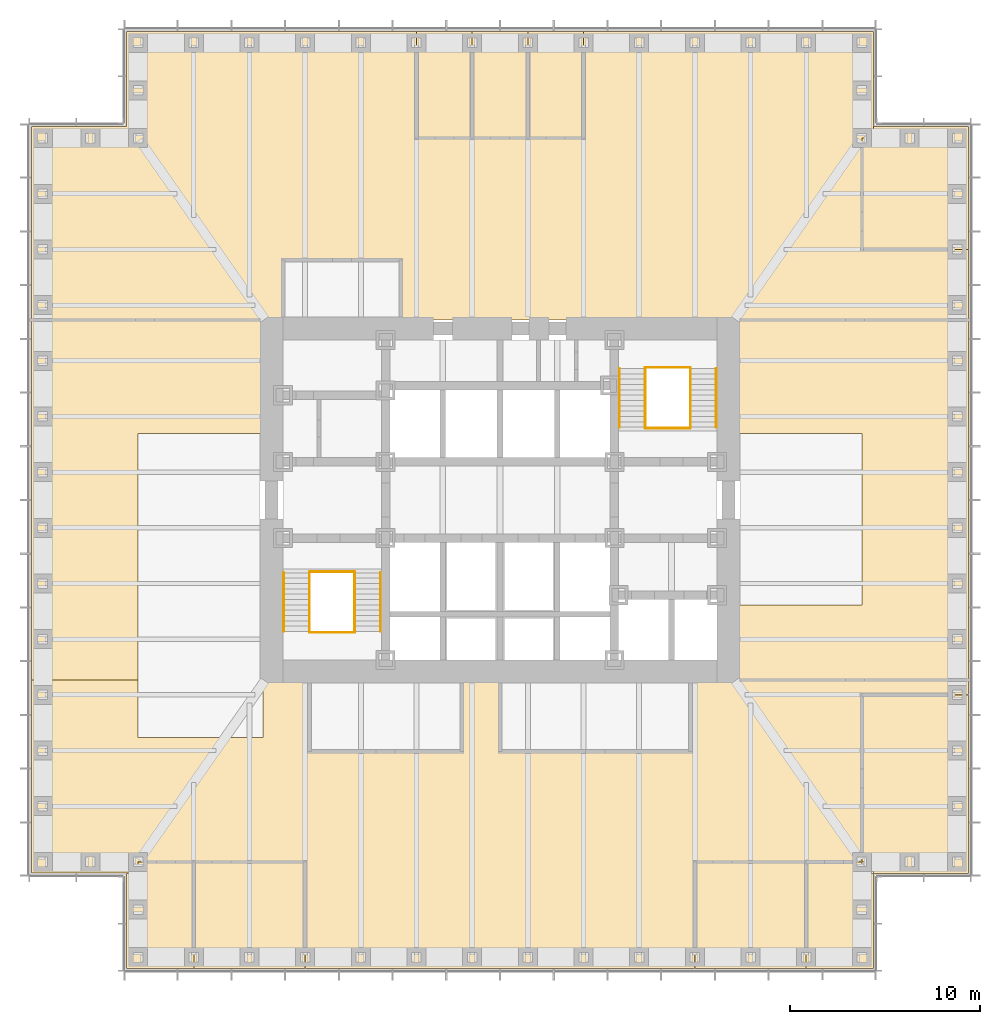
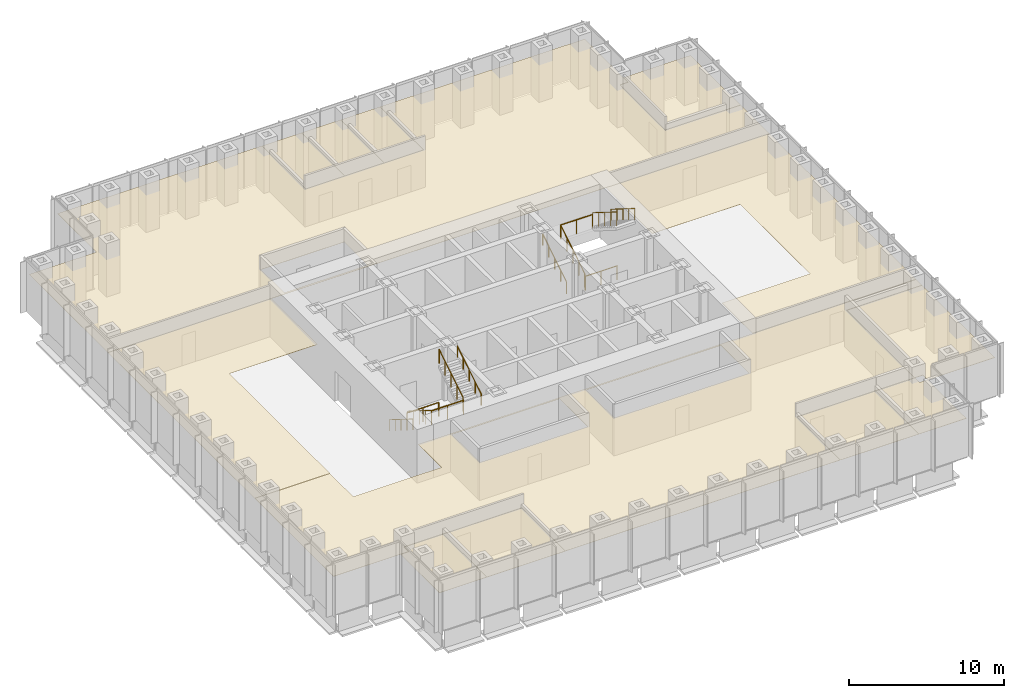
# One storey, part 16 of 16: 13 coverings, 12 railings.
"""IFC4 building model written with IfcOpenShell, lengths in metres."""

from ifc_helpers import new_model, si_unit, direction, frame, origin, origin_2d, place, context, subcontext, project, spatial, polyline, circle, outline, extrude, material, layer, layer_set, type_object, element, save


model = new_model("IFC4")

# Units and contexts
model_context = context("Model", 3, precision=1e-05, world=origin(), true_north=direction((0.0, 1.0)))
body_context = subcontext(model_context, "Body", "Model", "MODEL_VIEW")
ifc_project = project(units=[si_unit("LENGTHUNIT", "METRE"), si_unit("AREAUNIT", "SQUARE_METRE"), si_unit("VOLUMEUNIT", "CUBIC_METRE"), si_unit("PLANEANGLEUNIT", "RADIAN"), si_unit("MASSUNIT", "GRAM", prefix="KILO")], contexts=[model_context])

# Site, building, storey
site_placement = place(None, origin())
site = spatial("IfcSite", under=ifc_project, at=site_placement, CompositionType="ELEMENT")
building_placement = place(site_placement, origin())
building = spatial("IfcBuilding", under=site, at=building_placement, Name="Daluyong Arena Tower", CompositionType="ELEMENT")
storey_placement = place(building_placement, frame((0.0, 0.0, 43.300048828125)))
storey = spatial("IfcBuildingStorey", under=building, at=storey_placement, Name="L08", CompositionType="ELEMENT", Elevation=43.300048828125)

# Coverings
ifc_material_1 = material(Name="Mineral fibre ceiling tile", Category="gypsum board")
ifc_layer = layer(ifc_material_1, 0.02001953125)
ifc_layer_set = layer_set([ifc_layer], Name="Mineral fibre ceiling tile")
covering_type = type_object("IfcCoveringType", Name="Office ceiling", PredefinedType="CEILING", material=ifc_layer_set)
covering_1_placement = place(storey_placement, frame((0.0, 0.0, 2.89990234375)))
element("IfcCovering", 1, at=covering_1_placement, inside=storey, type_object=covering_type, Name="ceiling L08-01", PredefinedType="CEILING", context=body_context, shape_type="SweptSolid", body=[
    extrude(outline(polyline([(36.39990234375, 60.39990234375), (36.39990234375, 55.39990234375), (39.923095703125, 55.39990234375), (39.923095703125, 61.0), (37.0, 61.0), (37.0, 60.39990234375), (36.39990234375, 60.39990234375)])), origin(), (0.0, 0.0, 1.0), 0.02001953125),
])
covering_2_placement = place(storey_placement, frame((0.0, 0.0, 2.89990234375)))
element("IfcCovering", 2, at=covering_2_placement, inside=storey, type_object=covering_type, Name="ceiling L08-02", PredefinedType="CEILING", context=body_context, shape_type="SweptSolid", body=[
    extrude(outline(polyline([(39.923095703125, 61.0), (39.923095703125, 55.39990234375), (45.769287109375, 55.39990234375), (45.769287109375, 61.0), (39.923095703125, 61.0)])), origin(), (0.0, 0.0, 1.0), 0.02001953125),
])
covering_3_placement = place(storey_placement, frame((0.0, 0.0, 2.89990234375)))
element("IfcCovering", 3, at=covering_3_placement, inside=storey, type_object=covering_type, Name="ceiling L08-03", PredefinedType="CEILING", context=body_context, shape_type="SweptSolid", body=[
    extrude(outline(polyline([(66.230712890625, 61.0), (66.230712890625, 55.39990234375), (72.076904296875, 55.39990234375), (72.076904296875, 61.0), (66.230712890625, 61.0)])), origin(), (0.0, 0.0, 1.0), 0.02001953125),
])
covering_4_placement = place(storey_placement, frame((0.0, 0.0, 2.89990234375)))
element("IfcCovering", 4, at=covering_4_placement, inside=storey, type_object=covering_type, Name="ceiling L08-04", PredefinedType="CEILING", context=body_context, shape_type="SweptSolid", body=[
    extrude(outline(polyline([(75.60009765625, 55.39990234375), (75.60009765625, 60.39990234375), (75.0, 60.39990234375), (75.0, 61.0), (72.076904296875, 61.0), (72.076904296875, 55.39990234375), (75.60009765625, 55.39990234375)])), origin(), (0.0, 0.0, 1.0), 0.02001953125),
])
covering_5_placement = place(storey_placement, frame((0.0, 0.0, 2.89990234375)))
element("IfcCovering", 5, at=covering_5_placement, inside=storey, type_object=covering_type, Name="ceiling L08-05", PredefinedType="CEILING", context=body_context, shape_type="SweptSolid", body=[
    extrude(outline(polyline([(75.60009765625, 60.39990234375), (80.60009765625, 60.39990234375), (80.60009765625, 69.769287109375), (75.0, 69.769287109375), (75.0, 61.0), (75.60009765625, 61.0), (75.60009765625, 60.39990234375)])), origin(), (0.0, 0.0, 1.0), 0.02001953125),
])
covering_6_placement = place(storey_placement, frame((0.0, 0.0, 2.89990234375)))
element("IfcCovering", 6, at=covering_6_placement, inside=storey, type_object=covering_type, Name="ceiling L08-06", PredefinedType="CEILING", context=body_context, shape_type="SweptSolid", body=[
    extrude(outline(polyline([(75.0, 93.15380859375), (80.60009765625, 93.15380859375), (80.60009765625, 99.60009765625), (75.60009765625, 99.60009765625), (75.60009765625, 99.0), (75.0, 99.0), (75.0, 93.15380859375)])), origin(), (0.0, 0.0, 1.0), 0.02001953125),
])
covering_7_placement = place(storey_placement, frame((0.0, 0.0, 2.89990234375)))
element("IfcCovering", 7, at=covering_7_placement, inside=storey, type_object=covering_type, Name="ceiling L08-07", PredefinedType="CEILING", context=body_context, shape_type="SweptSolid", body=[
    extrude(outline(polyline([(54.53857421875, 99.0), (54.53857421875, 104.60009765625), (51.615478515625, 104.60009765625), (51.615478515625, 99.0), (54.53857421875, 99.0)])), origin(), (0.0, 0.0, 1.0), 0.02001953125),
])
covering_8_placement = place(storey_placement, frame((0.0, 0.0, 2.89990234375)))
element("IfcCovering", 8, at=covering_8_placement, inside=storey, type_object=covering_type, Name="ceiling L08-08", PredefinedType="CEILING", context=body_context, shape_type="SweptSolid", body=[
    extrude(outline(polyline([(57.46142578125, 99.0), (57.46142578125, 104.60009765625), (54.53857421875, 104.60009765625), (54.53857421875, 99.0), (57.46142578125, 99.0)])), origin(), (0.0, 0.0, 1.0), 0.02001953125),
])
covering_9_placement = place(storey_placement, frame((0.0, 0.0, 2.89990234375)))
element("IfcCovering", 9, at=covering_9_placement, inside=storey, type_object=covering_type, Name="ceiling L08-09", PredefinedType="CEILING", context=body_context, shape_type="SweptSolid", body=[
    extrude(outline(polyline([(60.384521484375, 99.0), (60.384521484375, 104.60009765625), (57.46142578125, 104.60009765625), (57.46142578125, 99.0), (60.384521484375, 99.0)])), origin(), (0.0, 0.0, 1.0), 0.02001953125),
])
covering_10_placement = place(storey_placement, frame((0.0, 0.0, 2.89990234375)))
element("IfcCovering", 10, at=covering_10_placement, inside=storey, type_object=covering_type, Name="ceiling L08-15", PredefinedType="CEILING", context=body_context, shape_type="SweptSolid", body=[
    extrude(outline(polyline([(74.989990234375, 61.010009765625), (74.989990234375, 69.779296875), (80.590087890625, 69.779296875), (80.590087890625, 70.5400390625), (43.56005859375, 70.5400390625), (43.56005859375, 67.5400390625), (36.989990234375, 67.5400390625), (36.989990234375, 70.5400390625), (31.409912109375, 70.5400390625), (31.409912109375, 60.409912109375), (36.989990234375, 60.409912109375), (36.989990234375, 61.010009765625), (45.779296875, 61.010009765625), (45.779296875, 55.409912109375), (66.220703125, 55.409912109375), (66.220703125, 61.010009765625), (74.989990234375, 61.010009765625)]), holes=[polyline([(66.010009765625, 70.409912109375), (66.010009765625, 66.7900390625), (55.989990234375, 66.7900390625), (55.989990234375, 70.409912109375), (66.010009765625, 70.409912109375)]), polyline([(54.010009765625, 66.7900390625), (45.989990234375, 66.7900390625), (45.989990234375, 70.409912109375), (54.010009765625, 70.409912109375), (54.010009765625, 66.7900390625)])]), origin(), (0.0, 0.0, 1.0), 0.02001953125),
])
covering_11_placement = place(storey_placement, frame((0.0, 0.0, 2.89990234375)))
element("IfcCovering", 11, at=covering_11_placement, inside=storey, type_object=covering_type, Name="ceiling L08-16", PredefinedType="CEILING", context=body_context, shape_type="SweptSolid", body=[
    extrude(outline(polyline([(80.60009765625, 70.550048828125), (80.60009765625, 89.449951171875), (68.449951171875, 89.449951171875), (68.449951171875, 83.5), (75.0, 83.5), (75.0, 74.5), (68.449951171875, 74.5), (68.449951171875, 70.550048828125), (80.60009765625, 70.550048828125)])), origin(), (0.0, 0.0, 1.0), 0.02001953125),
])
covering_12_placement = place(storey_placement, frame((0.0, 0.0, 2.89990234375)))
element("IfcCovering", 12, at=covering_12_placement, inside=storey, type_object=covering_type, Name="ceiling L08-17", PredefinedType="CEILING", context=body_context, shape_type="SweptSolid", body=[
    extrude(outline(polyline([(36.39990234375, 104.60009765625), (36.39990234375, 99.60009765625), (31.39990234375, 99.60009765625), (31.39990234375, 89.449951171875), (80.60009765625, 89.449951171875), (80.60009765625, 93.15380859375), (75.0, 93.15380859375), (75.0, 99.0), (75.60009765625, 99.0), (75.60009765625, 104.60009765625), (60.384521484375, 104.60009765625), (60.384521484375, 99.0), (51.615478515625, 99.0), (51.615478515625, 104.60009765625), (36.39990234375, 104.60009765625)]), holes=[polyline([(50.800048828125, 89.60009765625), (44.60009765625, 89.60009765625), (44.60009765625, 92.60009765625), (50.800048828125, 92.60009765625), (50.800048828125, 89.60009765625)])]), origin(), (0.0, 0.0, 1.0), 0.02001953125),
])
covering_13_placement = place(storey_placement, frame((0.0, 0.0, 2.89990234375)))
element("IfcCovering", 13, at=covering_13_placement, inside=storey, type_object=covering_type, Name="ceiling L08-18", PredefinedType="CEILING", context=body_context, shape_type="SweptSolid", body=[
    extrude(outline(polyline([(31.39990234375, 89.449951171875), (31.39990234375, 70.550048828125), (37.0, 70.550048828125), (37.0, 83.5), (43.550048828125, 83.5), (43.550048828125, 89.449951171875), (31.39990234375, 89.449951171875)])), origin(), (0.0, 0.0, 1.0), 0.02001953125),
])

# Railings
ifc_material_2 = material(Name="Stainless steel handrail", Category="steel")
railing_type_1 = type_object("IfcRailingType", Name="Stair handrail", PredefinedType="HANDRAIL", material=ifc_material_2)
railing_1_placement = place(storey_placement, frame((44.64990234375, 76.175048828125, 0.175048828125)))
element("IfcRailing", 14, at=railing_1_placement, inside=storey, type_object=railing_type_1, Name="exit stair A handrail L08", PredefinedType="HANDRAIL", context=body_context, shape_type="SweptSolid", body=[
    extrude(circle(Radius=0.02392578125, at=origin_2d()), frame((0.0, 0.0, 0.8759765625), z_axis=(0.0, -0.848028513186, 0.529950602248), x_axis=(1.0, 0.0, 0.0)), (0.0, 0.0, 1.0), 3.632080078125),
    extrude(circle(Radius=0.02099609375, at=origin_2d()), origin(), (0.0, 0.0, 1.0), 0.851806640625),
    extrude(circle(Radius=0.02099609375, at=origin_2d()), frame((0.0, -0.77001953125, 0.481201171875)), (0.0, 0.0, 1.0), 0.851806640625),
    extrude(circle(Radius=0.02099609375, at=origin_2d()), frame((0.0, -1.5400390625, 0.96240234375)), (0.0, 0.0, 1.0), 0.851806640625),
    extrude(circle(Radius=0.02099609375, at=origin_2d()), frame((0.0, -2.31005859375, 1.443603515625)), (0.0, 0.0, 1.0), 0.851806640625),
    extrude(circle(Radius=0.02099609375, at=origin_2d()), frame((0.0, -3.080078125, 1.9248046875)), (0.0, 0.0, 1.0), 0.851806640625),
])
railing_2_placement = place(storey_placement, frame((49.72509765625, 73.094970703125, 2.27490234375)))
element("IfcRailing", 15, at=railing_2_placement, inside=storey, type_object=railing_type_1, Name="exit stair A handrail L08", PredefinedType="HANDRAIL", context=body_context, shape_type="SweptSolid", body=[
    extrude(circle(Radius=0.02392578125, at=origin_2d()), frame((0.0, 0.0, 0.8759765625), z_axis=(0.0, 0.847998304005, 0.529998940003), x_axis=(-1.0, 0.0, 0.0)), (0.0, 0.0, 1.0), 3.632080078125),
    extrude(circle(Radius=0.02099609375, at=origin_2d()), origin(), (0.0, 0.0, 1.0), 0.851806640625),
    extrude(circle(Radius=0.02099609375, at=origin_2d()), frame((0.0, 0.77001953125, 0.481201171875)), (0.0, 0.0, 1.0), 0.851806640625),
    extrude(circle(Radius=0.02099609375, at=origin_2d()), frame((0.0, 1.5400390625, 0.96240234375)), (0.0, 0.0, 1.0), 0.851806640625),
    extrude(circle(Radius=0.02099609375, at=origin_2d()), frame((0.0, 2.31005859375, 1.44384765625)), (0.0, 0.0, 1.0), 0.851806640625),
    extrude(circle(Radius=0.02099609375, at=origin_2d()), frame((0.0, 3.080078125, 1.925048828125)), (0.0, 0.0, 1.0), 0.851806640625),
])
railing_3_placement = place(storey_placement, frame((62.27490234375, 83.824951171875, 0.175048828125)))
element("IfcRailing", 16, at=railing_3_placement, inside=storey, type_object=railing_type_1, Name="exit stair B handrail L08", PredefinedType="HANDRAIL", context=body_context, shape_type="SweptSolid", body=[
    extrude(circle(Radius=0.02392578125, at=origin_2d()), frame((0.0, 0.0, 0.8759765625), z_axis=(0.0, 0.848028513186, 0.529950602248), x_axis=(-1.0, 0.0, 0.0)), (0.0, 0.0, 1.0), 3.632080078125),
    extrude(circle(Radius=0.02099609375, at=origin_2d()), origin(), (0.0, 0.0, 1.0), 0.851806640625),
    extrude(circle(Radius=0.02099609375, at=origin_2d()), frame((0.0, 0.77001953125, 0.481201171875)), (0.0, 0.0, 1.0), 0.851806640625),
    extrude(circle(Radius=0.02099609375, at=origin_2d()), frame((0.0, 1.5400390625, 0.96240234375)), (0.0, 0.0, 1.0), 0.851806640625),
    extrude(circle(Radius=0.02099609375, at=origin_2d()), frame((0.0, 2.31005859375, 1.443603515625)), (0.0, 0.0, 1.0), 0.851806640625),
    extrude(circle(Radius=0.02099609375, at=origin_2d()), frame((0.0, 3.080078125, 1.9248046875)), (0.0, 0.0, 1.0), 0.851806640625),
])
railing_4_placement = place(storey_placement, frame((67.35009765625, 86.905029296875, 2.27490234375)))
element("IfcRailing", 17, at=railing_4_placement, inside=storey, type_object=railing_type_1, Name="exit stair B handrail L08", PredefinedType="HANDRAIL", context=body_context, shape_type="SweptSolid", body=[
    extrude(circle(Radius=0.02392578125, at=origin_2d()), frame((0.0, 0.0, 0.8759765625), z_axis=(0.0, -0.847998304005, 0.529998940003), x_axis=(1.0, 0.0, 0.0)), (0.0, 0.0, 1.0), 3.632080078125),
    extrude(circle(Radius=0.02099609375, at=origin_2d()), origin(), (0.0, 0.0, 1.0), 0.851806640625),
    extrude(circle(Radius=0.02099609375, at=origin_2d()), frame((0.0, -0.77001953125, 0.481201171875)), (0.0, 0.0, 1.0), 0.851806640625),
    extrude(circle(Radius=0.02099609375, at=origin_2d()), frame((0.0, -1.5400390625, 0.96240234375)), (0.0, 0.0, 1.0), 0.851806640625),
    extrude(circle(Radius=0.02099609375, at=origin_2d()), frame((0.0, -2.31005859375, 1.44384765625)), (0.0, 0.0, 1.0), 0.851806640625),
    extrude(circle(Radius=0.02099609375, at=origin_2d()), frame((0.0, -3.080078125, 1.925048828125)), (0.0, 0.0, 1.0), 0.851806640625),
])
ifc_material_3 = material(Name="Steel balustrade", Category="steel")
railing_type_2 = type_object("IfcRailingType", Name="Stair well guard 1100", PredefinedType="GUARDRAIL", material=ifc_material_3)
railing_5_placement = place(storey_placement, frame((46.0, 76.175048828125, 0.175048828125)))
element("IfcRailing", 18, at=railing_5_placement, inside=storey, type_object=railing_type_2, Name="exit stair A well guard L08", PredefinedType="GUARDRAIL", context=body_context, shape_type="SweptSolid", body=[
    extrude(circle(Radius=0.02392578125, at=origin_2d()), frame((0.0, 0.0, 1.076171875), z_axis=(0.0, -0.848028513186, 0.529950602248), x_axis=(1.0, 0.0, 0.0)), (0.0, 0.0, 1.0), 3.632080078125),
    extrude(circle(Radius=0.02099609375, at=origin_2d()), origin(), (0.0, 0.0, 1.0), 1.052001953125),
    extrude(circle(Radius=0.02099609375, at=origin_2d()), frame((0.0, -0.77001953125, 0.481201171875)), (0.0, 0.0, 1.0), 1.052001953125),
    extrude(circle(Radius=0.02099609375, at=origin_2d()), frame((0.0, -1.5400390625, 0.96240234375)), (0.0, 0.0, 1.0), 1.052001953125),
    extrude(circle(Radius=0.02099609375, at=origin_2d()), frame((0.0, -2.31005859375, 1.443603515625)), (0.0, 0.0, 1.0), 1.052001953125),
    extrude(circle(Radius=0.02099609375, at=origin_2d()), frame((0.0, -3.080078125, 1.9248046875)), (0.0, 0.0, 1.0), 1.052001953125),
])
railing_6_placement = place(storey_placement, frame((48.375, 73.094970703125, 2.27490234375)))
element("IfcRailing", 19, at=railing_6_placement, inside=storey, type_object=railing_type_2, Name="exit stair A well guard L08", PredefinedType="GUARDRAIL", context=body_context, shape_type="SweptSolid", body=[
    extrude(circle(Radius=0.02392578125, at=origin_2d()), frame((0.0, 0.0, 1.076171875), z_axis=(0.0, 0.847998304005, 0.529998940003), x_axis=(-1.0, 0.0, 0.0)), (0.0, 0.0, 1.0), 3.632080078125),
    extrude(circle(Radius=0.02099609375, at=origin_2d()), origin(), (0.0, 0.0, 1.0), 1.052001953125),
    extrude(circle(Radius=0.02099609375, at=origin_2d()), frame((0.0, 0.77001953125, 0.481201171875)), (0.0, 0.0, 1.0), 1.052001953125),
    extrude(circle(Radius=0.02099609375, at=origin_2d()), frame((0.0, 1.5400390625, 0.96240234375)), (0.0, 0.0, 1.0), 1.052001953125),
    extrude(circle(Radius=0.02099609375, at=origin_2d()), frame((0.0, 2.31005859375, 1.44384765625)), (0.0, 0.0, 1.0), 1.052001953125),
    extrude(circle(Radius=0.02099609375, at=origin_2d()), frame((0.0, 3.080078125, 1.925048828125)), (0.0, 0.0, 1.0), 1.052001953125),
])
for number, where, name in (
    (20, (46.0, 73.044921875, 2.099853515625), "exit stair A landing guard L08"),
    (21, (46.0, 76.22509765625, 0.0), "exit stair A floor landing guard L08"),
):
    element("IfcRailing", number, at=place(storey_placement, frame(where)), inside=storey, type_object=railing_type_2, Name=name, PredefinedType="GUARDRAIL", context=body_context, shape_type="SweptSolid", body=[
        extrude(circle(Radius=0.02392578125, at=origin_2d()), frame((0.0, 0.0, 1.076171875), z_axis=(1.0, 0.0, 0.0), x_axis=(0.0, 1.0, 0.0)), (0.0, 0.0, 1.0), 2.375),
        extrude(circle(Radius=0.02099609375, at=origin_2d()), origin(), (0.0, 0.0, 1.0), 1.052001953125),
        extrude(circle(Radius=0.02099609375, at=origin_2d()), frame((1.1875, 0.0, 0.0)), (0.0, 0.0, 1.0), 1.052001953125),
        extrude(circle(Radius=0.02099609375, at=origin_2d()), frame((2.375, 0.0, 0.0)), (0.0, 0.0, 1.0), 1.052001953125),
    ])
railing_7_placement = place(storey_placement, frame((63.625, 83.824951171875, 0.175048828125)))
element("IfcRailing", 22, at=railing_7_placement, inside=storey, type_object=railing_type_2, Name="exit stair B well guard L08", PredefinedType="GUARDRAIL", context=body_context, shape_type="SweptSolid", body=[
    extrude(circle(Radius=0.02392578125, at=origin_2d()), frame((0.0, 0.0, 1.076171875), z_axis=(0.0, 0.848028513186, 0.529950602248), x_axis=(-1.0, 0.0, 0.0)), (0.0, 0.0, 1.0), 3.632080078125),
    extrude(circle(Radius=0.02099609375, at=origin_2d()), origin(), (0.0, 0.0, 1.0), 1.052001953125),
    extrude(circle(Radius=0.02099609375, at=origin_2d()), frame((0.0, 0.77001953125, 0.481201171875)), (0.0, 0.0, 1.0), 1.052001953125),
    extrude(circle(Radius=0.02099609375, at=origin_2d()), frame((0.0, 1.5400390625, 0.96240234375)), (0.0, 0.0, 1.0), 1.052001953125),
    extrude(circle(Radius=0.02099609375, at=origin_2d()), frame((0.0, 2.31005859375, 1.443603515625)), (0.0, 0.0, 1.0), 1.052001953125),
    extrude(circle(Radius=0.02099609375, at=origin_2d()), frame((0.0, 3.080078125, 1.9248046875)), (0.0, 0.0, 1.0), 1.052001953125),
])
railing_8_placement = place(storey_placement, frame((66.0, 86.905029296875, 2.27490234375)))
element("IfcRailing", 23, at=railing_8_placement, inside=storey, type_object=railing_type_2, Name="exit stair B well guard L08", PredefinedType="GUARDRAIL", context=body_context, shape_type="SweptSolid", body=[
    extrude(circle(Radius=0.02392578125, at=origin_2d()), frame((0.0, 0.0, 1.076171875), z_axis=(0.0, -0.847998304005, 0.529998940003), x_axis=(1.0, 0.0, 0.0)), (0.0, 0.0, 1.0), 3.632080078125),
    extrude(circle(Radius=0.02099609375, at=origin_2d()), origin(), (0.0, 0.0, 1.0), 1.052001953125),
    extrude(circle(Radius=0.02099609375, at=origin_2d()), frame((0.0, -0.77001953125, 0.481201171875)), (0.0, 0.0, 1.0), 1.052001953125),
    extrude(circle(Radius=0.02099609375, at=origin_2d()), frame((0.0, -1.5400390625, 0.96240234375)), (0.0, 0.0, 1.0), 1.052001953125),
    extrude(circle(Radius=0.02099609375, at=origin_2d()), frame((0.0, -2.31005859375, 1.44384765625)), (0.0, 0.0, 1.0), 1.052001953125),
    extrude(circle(Radius=0.02099609375, at=origin_2d()), frame((0.0, -3.080078125, 1.925048828125)), (0.0, 0.0, 1.0), 1.052001953125),
])
for number, where, name in (
    (24, (63.625, 86.955078125, 2.099853515625), "exit stair B landing guard L08"),
    (25, (63.625, 83.77490234375, 0.0), "exit stair B floor landing guard L08"),
):
    element("IfcRailing", number, at=place(storey_placement, frame(where)), inside=storey, type_object=railing_type_2, Name=name, PredefinedType="GUARDRAIL", context=body_context, shape_type="SweptSolid", body=[
        extrude(circle(Radius=0.02392578125, at=origin_2d()), frame((0.0, 0.0, 1.076171875), z_axis=(1.0, 0.0, 0.0), x_axis=(0.0, 1.0, 0.0)), (0.0, 0.0, 1.0), 2.375),
        extrude(circle(Radius=0.02099609375, at=origin_2d()), origin(), (0.0, 0.0, 1.0), 1.052001953125),
        extrude(circle(Radius=0.02099609375, at=origin_2d()), frame((1.1875, 0.0, 0.0)), (0.0, 0.0, 1.0), 1.052001953125),
        extrude(circle(Radius=0.02099609375, at=origin_2d()), frame((2.375, 0.0, 0.0)), (0.0, 0.0, 1.0), 1.052001953125),
    ])

save(model, "model.ifc")
